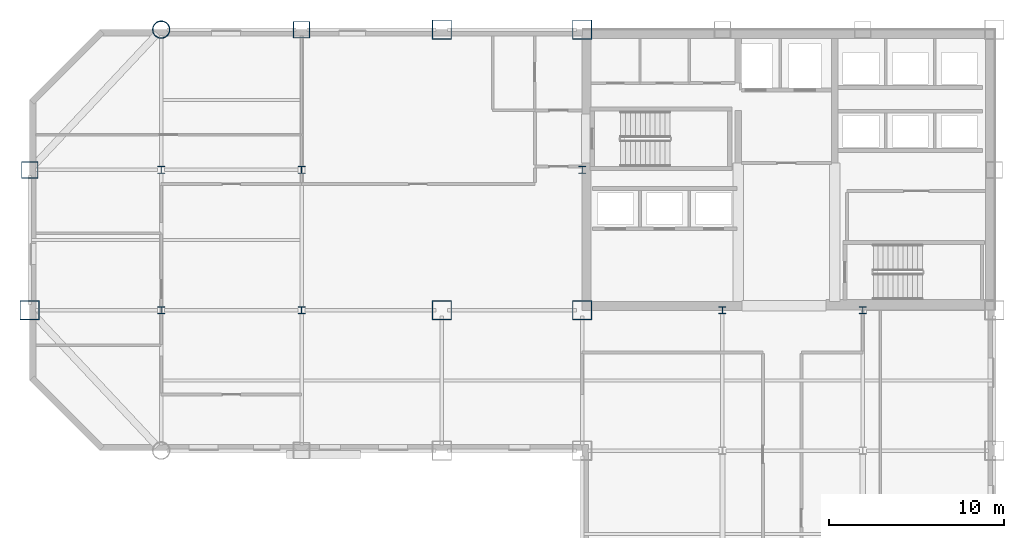
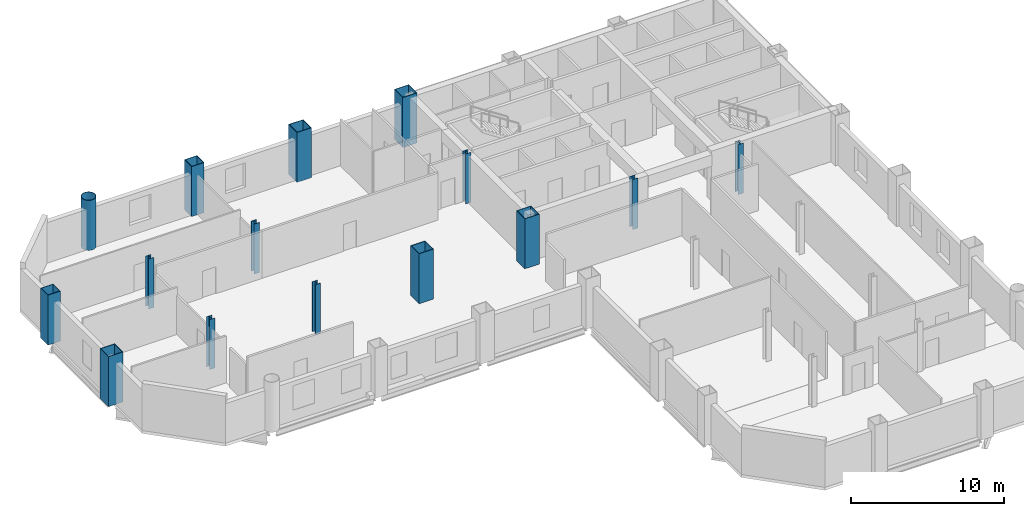
# One storey, part 3 of 9: 15 columns.
"""IFC4 building model written with IfcOpenShell, lengths in metres."""

from ifc_helpers import new_model, si_unit, direction, frame, origin, origin_2d, place, context, subcontext, project, spatial, hollow_rectangle, hollow_circle, i_section, extrude, material, material_profile, profile_set, type_object, element, save


model = new_model("IFC4")

# Units and contexts
model_context = context("Model", 3, precision=1e-05, world=origin(), true_north=direction((0.0, 1.0)))
body_context = subcontext(model_context, "Body", "Model", "MODEL_VIEW")
ifc_project = project(units=[si_unit("LENGTHUNIT", "METRE"), si_unit("AREAUNIT", "SQUARE_METRE"), si_unit("VOLUMEUNIT", "CUBIC_METRE"), si_unit("PLANEANGLEUNIT", "RADIAN"), si_unit("MASSUNIT", "GRAM", prefix="KILO")], contexts=[model_context])

# Site, building, storey
site_placement = place(None, origin())
site = spatial("IfcSite", under=ifc_project, at=site_placement, CompositionType="ELEMENT")
building_placement = place(site_placement, origin())
building = spatial("IfcBuilding", under=site, at=building_placement, Name="Qianrong Seaharbour Tower", CompositionType="ELEMENT")
storey_placement = place(building_placement, frame((0.0, 0.0, 155.0)))
storey = spatial("IfcBuildingStorey", under=building, at=storey_placement, Name="L37", CompositionType="ELEMENT", Elevation=155.0)

# Columns
ifc_material = material(Name="Structural steel SN490B", Category="steel")
ifc_material_profile_1 = material_profile(ifc_material, hollow_rectangle(XDim=1.10009765625, YDim=1.10009765625, WallThickness=0.0400390625, at=origin_2d()), Name="BOX1100x1100x40")
ifc_profile_set_1 = profile_set([ifc_material_profile_1], Name="Structural steel SN490B")
column_type_1 = type_object("IfcColumnType", Name="COL-CFT-1100", PredefinedType="COLUMN", material=ifc_profile_set_1)
for number, where, z_axis, x_axis, name in (
    (1, (9.0, 36.0, 0.0), (0.0, 0.0, 1.0), (1.0, 0.0, 0.0), "L37 Column MC-3 at G2/GF"),
    (2, (32.5, 36.0, 0.0), (0.0, 0.0, 1.0), (1.0, 0.0, 0.0), "L37 Column MC-3 at G5/GF"),
    (3, (32.5, 52.0, 0.0), (0.0, 0.0, 1.0), (1.0, 0.0, 0.0), "L37 Column MC-3 at G5/GH"),
    (4, (40.5, 36.0, 0.0), (0.0, 0.0, 1.0), (1.0, 0.0, 0.0), "L37 Column MC-3 at G6/GF"),
    (5, (40.5, 52.0, 0.0), (0.0, 0.0, 1.0), (1.0, 0.0, 0.0), "L37 Column MC-3 at G6/GH"),
):
    element("IfcColumn", number, at=place(storey_placement, frame(where, z_axis=z_axis, x_axis=x_axis)), inside=storey, type_object=column_type_1, Name=name, PredefinedType="COLUMN", context=body_context, shape_type="SweptSolid", body=[
        extrude(hollow_rectangle(XDim=1.10009765625, YDim=1.10009765625, WallThickness=0.0400390625, at=origin_2d()), origin(), (0.0, 0.0, 1.0), 4.0),
    ])
ifc_material_profile_2 = material_profile(ifc_material, hollow_circle(Radius=0.5, WallThickness=0.035888671875, at=origin_2d()), Name="CHS1000x36")
ifc_profile_set_2 = profile_set([ifc_material_profile_2], Name="Structural steel SN490B")
column_type_2 = type_object("IfcColumnType", Name="COL-CHS-1000", PredefinedType="COLUMN", material=ifc_profile_set_2)
column_placement = place(storey_placement, frame((16.5, 52.0, 0.0), z_axis=(0.0, 0.0, 1.0), x_axis=(1.0, 0.0, 0.0)))
element("IfcColumn", 6, at=column_placement, inside=storey, type_object=column_type_2, Name="L37 Column CC-2 at G3/GH", PredefinedType="COLUMN", context=body_context, shape_type="SweptSolid", body=[
    extrude(hollow_circle(Radius=0.5, WallThickness=0.035888671875, at=origin_2d()), origin(), (0.0, 0.0, 1.0), 4.0),
])
ifc_material_profile_3 = material_profile(ifc_material, i_section(OverallWidth=0.39990234375, OverallDepth=0.39990234375, WebThickness=0.012939453125, FlangeThickness=0.02099609375, FilletRadius=0.02197265625, at=origin_2d()), Name="H400x400x13x21")
ifc_profile_set_3 = profile_set([ifc_material_profile_3], Name="Structural steel SN490B")
column_type_3 = type_object("IfcColumnType", Name="COL-INT-H400", PredefinedType="COLUMN", material=ifc_profile_set_3)
for number, where, z_axis, x_axis, name in (
    (7, (16.5, 36.0, 0.0), (0.0, 0.0, 1.0), (1.0, 0.0, 0.0), "L37 Column IC-3 at G3/GF"),
    (8, (16.5, 44.0, 0.0), (0.0, 0.0, 1.0), (1.0, 0.0, 0.0), "L37 Column IC-3 at G3/GG"),
    (9, (24.5, 36.0, 0.0), (0.0, 0.0, 1.0), (1.0, 0.0, 0.0), "L37 Column IC-3 at G4/GF"),
    (10, (24.5, 44.0, 0.0), (0.0, 0.0, 1.0), (1.0, 0.0, 0.0), "L37 Column IC-3 at G4/GG"),
    (11, (40.5, 44.0, 0.0), (0.0, 0.0, 1.0), (1.0, 0.0, 0.0), "L37 Column IC-3 at G6/GG"),
    (12, (48.5, 36.0, 0.0), (0.0, 0.0, 1.0), (1.0, 0.0, 0.0), "L37 Column IC-3 at G7/GF"),
    (13, (56.5, 36.0, 0.0), (0.0, 0.0, 1.0), (1.0, 0.0, 0.0), "L37 Column IC-3 at G8/GF"),
):
    element("IfcColumn", number, at=place(storey_placement, frame(where, z_axis=z_axis, x_axis=x_axis)), inside=storey, type_object=column_type_3, Name=name, PredefinedType="COLUMN", context=body_context, shape_type="SweptSolid", body=[
        extrude(i_section(OverallWidth=0.39990234375, OverallDepth=0.39990234375, WebThickness=0.012939453125, FlangeThickness=0.02099609375, FilletRadius=0.02197265625, at=origin_2d()), origin(), (0.0, 0.0, 1.0), 4.0),
    ])
ifc_material_profile_4 = material_profile(ifc_material, hollow_rectangle(XDim=0.949951171875, YDim=0.949951171875, WallThickness=0.035888671875, at=origin_2d()), Name="BOX950x950x36")
ifc_profile_set_4 = profile_set([ifc_material_profile_4], Name="Structural steel SN490B")
column_type_4 = type_object("IfcColumnType", Name="COL-PER-950", PredefinedType="COLUMN", material=ifc_profile_set_4)
for number, where, z_axis, x_axis, name in (
    (14, (9.0, 44.0, 0.0), (0.0, 0.0, 1.0), (1.0, 0.0, 0.0), "L37 Column PC-2 at G2/GG"),
    (15, (24.5, 52.0, 0.0), (0.0, 0.0, 1.0), (1.0, 0.0, 0.0), "L37 Column PC-2 at G4/GH"),
):
    element("IfcColumn", number, at=place(storey_placement, frame(where, z_axis=z_axis, x_axis=x_axis)), inside=storey, type_object=column_type_4, Name=name, PredefinedType="COLUMN", context=body_context, shape_type="SweptSolid", body=[
        extrude(hollow_rectangle(XDim=0.949951171875, YDim=0.949951171875, WallThickness=0.035888671875, at=origin_2d()), origin(), (0.0, 0.0, 1.0), 4.0),
    ])

save(model, "model.ifc")
